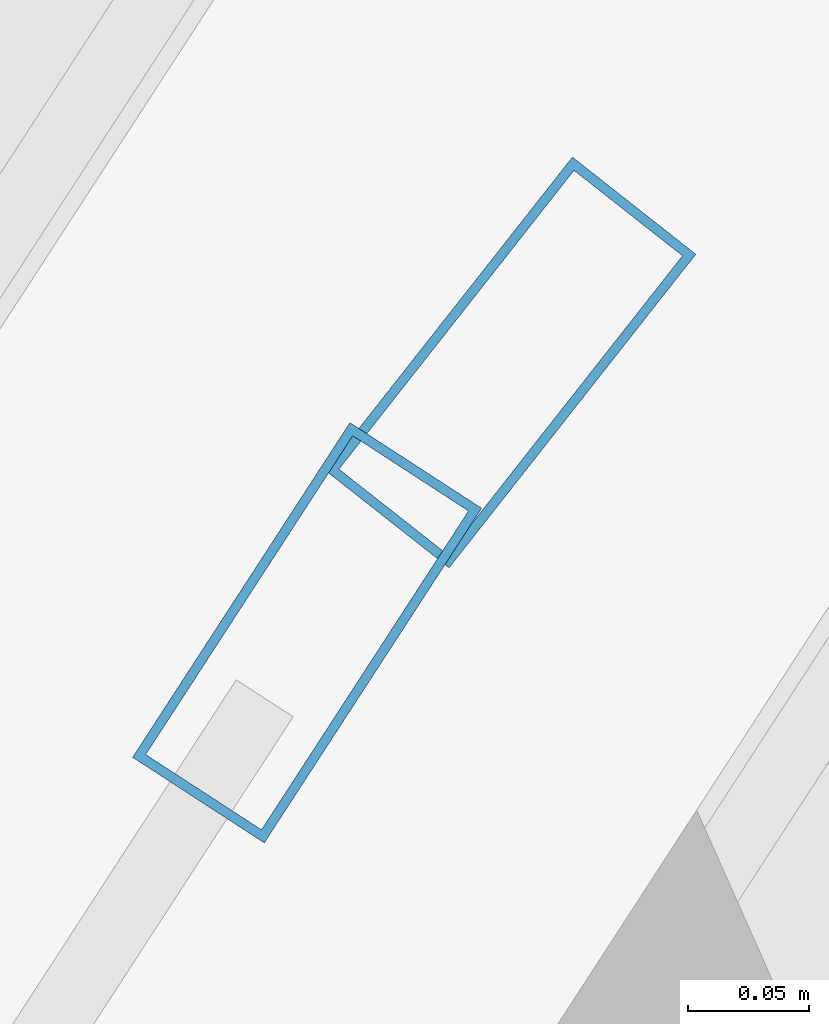
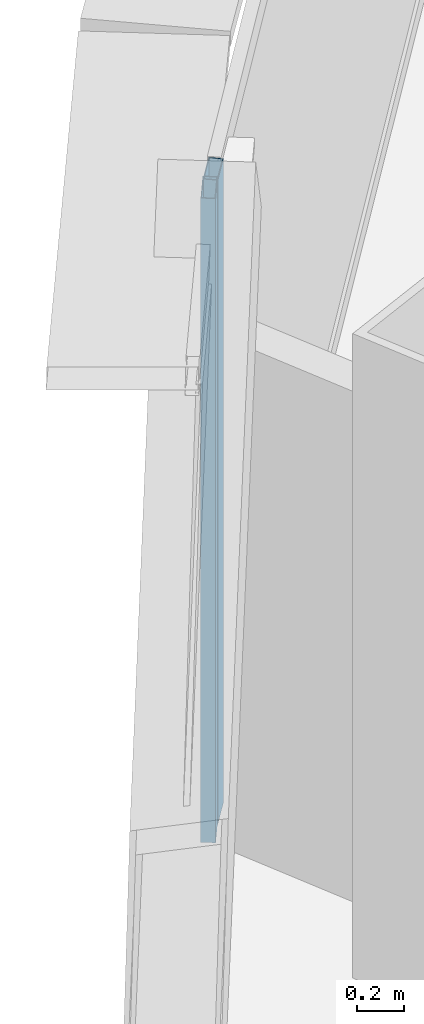
# One storey, part 18 of 42: 2 members, 2 elements without a shape of their own.
"""IFC4 building model written with IfcOpenShell, lengths in metres."""

from ifc_helpers import new_model, si_unit, direction, frame, origin, origin_2d, place, context, subcontext, project, spatial, hollow_rectangle, extrude, source, transform, mapped, material, layer, layer_set, material_profile, profile_set, type_object, element, aggregate, save


model = new_model("IFC4")

# Units and contexts
model_context = context("Model", 3, precision=1e-05, world=origin(), true_north=direction((0.0, 1.0)))
body_context = subcontext(model_context, "Body", "Model", "MODEL_VIEW")
ifc_project = project(units=[si_unit("LENGTHUNIT", "METRE"), si_unit("AREAUNIT", "SQUARE_METRE"), si_unit("VOLUMEUNIT", "CUBIC_METRE"), si_unit("PLANEANGLEUNIT", "RADIAN"), si_unit("MASSUNIT", "GRAM", prefix="KILO"), si_unit("THERMODYNAMICTEMPERATUREUNIT", "KELVIN"), si_unit("POWERUNIT", "WATT")], contexts=[model_context])

# Site, building, storey
site_placement = place(None, origin())
site = spatial("IfcSite", under=ifc_project, at=site_placement, CompositionType="ELEMENT")
building_placement = place(site_placement, origin())
building = spatial("IfcBuilding", under=site, at=building_placement, Name="Yunzhuo Pagoda Commons", CompositionType="ELEMENT")
storey_placement = place(building_placement, frame((0.0, 0.0, 44.919921875)))
storey = spatial("IfcBuildingStorey", under=building, at=storey_placement, Name="L11", CompositionType="ELEMENT", Elevation=44.919921875)

# Curtain wall, member
ifc_material = material(Name="Anodized aluminium 6063-T6", Category="aluminium")
ifc_layer = layer(ifc_material, 0.1650390625)
ifc_layer_set = layer_set([ifc_layer], Name="Anodized aluminium 6063-T6")
curtain_wall_type = type_object("IfcCurtainWallType", Name="CW-LOW Low-Zone Ribbon Curtain Wall", PredefinedType="NOTDEFINED", material=ifc_layer_set)
curtain_wall_1_placement = place(storey_placement, origin())
curtain_wall_1 = element("IfcCurtainWall", 1, at=curtain_wall_1_placement, inside=storey, type_object=curtain_wall_type, Name="L11 curtain wall CW-L11-F3B2", PredefinedType="NOTDEFINED")
ifc_material_profile = material_profile(ifc_material, hollow_rectangle(XDim=0.06494140625, YDim=0.1650390625, WallThickness=0.00390625, at=origin_2d()), Name="Anodized aluminium 6063-T6")
ifc_profile_set = profile_set([ifc_material_profile], Name="Anodized aluminium 6063-T6")
member_type = type_object("IfcMemberType", Name="CW-LOW-M Mullion RHS 165x65x4", PredefinedType="MULLION", material=ifc_profile_set)
shared_shape = source(origin(), body_context, "Body", "SweptSolid", [
    extrude(hollow_rectangle(XDim=0.06494140625, YDim=0.1650390625, WallThickness=0.00390625, at=origin_2d()), origin(), (0.0, 0.0, 1.0), 3.3701171875),
])
member_1_placement = place(storey_placement, frame((30.6767578125, 72.54150390625, 0.0), z_axis=(0.0, 0.0, 1.0), x_axis=(0.838709783089, -0.54457864423, 0.0)))
member_1 = element("IfcMember", 2, at=member_1_placement, type_object=member_type, Name="CW mullion 1", PredefinedType="MULLION", context=body_context, shape_type="MappedRepresentation", body=[
    mapped(shared_shape, transform((0.0, 0.0, 0.0), scale=1.0)),
])
aggregate(curtain_wall_1, [member_1])

curtain_wall_2_placement = place(storey_placement, origin())
curtain_wall_2 = element("IfcCurtainWall", 3, at=curtain_wall_2_placement, inside=storey, type_object=curtain_wall_type, Name="L11 curtain wall CW-L11-F3B1", PredefinedType="NOTDEFINED")
member_2_placement = place(storey_placement, frame((30.760986328125, 72.6533203125, 0.0), z_axis=(0.0, 0.0, 1.0), x_axis=(0.785883026265, -0.61837518468, 0.0)))
member_2 = element("IfcMember", 4, at=member_2_placement, type_object=member_type, Name="CW mullion 3", PredefinedType="MULLION", context=body_context, shape_type="MappedRepresentation", body=[
    mapped(shared_shape, transform((0.0, 0.0, 0.0), scale=1.0)),
])
aggregate(curtain_wall_2, [member_2])

save(model, "model.ifc")
